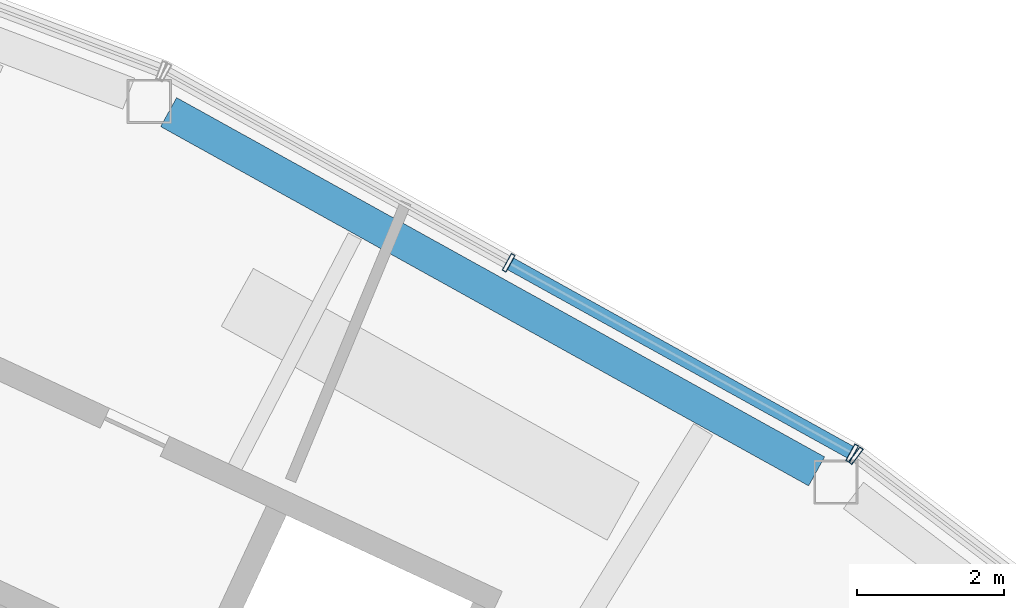
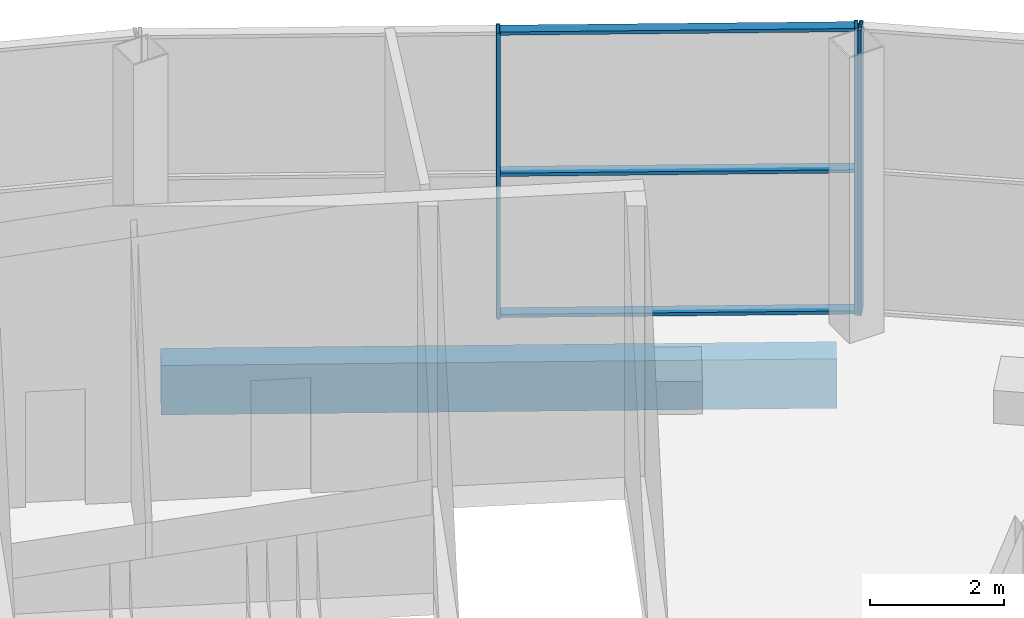
# One storey, part 33 of 44: 6 members, 1 beam, 2 elements without a shape of their own.
"""IFC4 building model written with IfcOpenShell, lengths in metres."""

from ifc_helpers import new_model, si_unit, direction, frame, origin, origin_2d, place, context, subcontext, project, spatial, hollow_rectangle, extrude, material, layer, layer_set, material_profile, profile_set, type_object, element, aggregate, save


model = new_model("IFC4")

# Units and contexts
model_context = context("Model", 3, precision=1e-05, world=origin(), true_north=direction((0.0, 1.0)))
body_context = subcontext(model_context, "Body", "Model", "MODEL_VIEW")
ifc_project = project(units=[si_unit("LENGTHUNIT", "METRE"), si_unit("AREAUNIT", "SQUARE_METRE"), si_unit("VOLUMEUNIT", "CUBIC_METRE"), si_unit("PLANEANGLEUNIT", "RADIAN"), si_unit("MASSUNIT", "GRAM", prefix="KILO")], contexts=[model_context])

# Site, building, storey
site_placement = place(None, origin())
site = spatial("IfcSite", under=ifc_project, at=site_placement, CompositionType="ELEMENT")
building_placement = place(site_placement, origin())
building = spatial("IfcBuilding", under=site, at=building_placement, Name="Tuul Gate Civic Tower", CompositionType="ELEMENT")
storey_placement = place(building_placement, frame((0.0, 0.0, 354.60009765625)))
storey = spatial("IfcBuildingStorey", under=building, at=storey_placement, Name="Observation level 2", CompositionType="ELEMENT", Elevation=354.60009765625)

# Curtain wall, member
ifc_material_1 = material(Name="Stainless steel", Category="steel")
ifc_layer = layer(ifc_material_1, 0.199951171875)
ifc_layer_set = layer_set([ifc_layer], Name="Stainless steel")
curtain_wall_type = type_object("IfcCurtainWallType", Name="Curtain wall CW4", PredefinedType="NOTDEFINED", material=ifc_layer_set)
curtain_wall_1_placement = place(storey_placement, origin())
curtain_wall_1 = element("IfcCurtainWall", 1, at=curtain_wall_1_placement, inside=storey, type_object=curtain_wall_type, Name="Curtain wall CW4", PredefinedType="NOTDEFINED")
ifc_material_2 = material(Name="Stainless steel", Category="steel")
ifc_material_profile_1 = material_profile(ifc_material_2, hollow_rectangle(XDim=0.260009765625, YDim=0.06005859375, WallThickness=0.006103515625, at=origin_2d()), Name="CW4 mullion")
ifc_profile_set_1 = profile_set([ifc_material_profile_1], Name="Stainless steel")
member_type_1 = type_object("IfcMemberType", Name="CW4 mullion", PredefinedType="MULLION", material=ifc_profile_set_1)
member_1_placement = place(storey_placement, frame((42.864990234375, 2.164794921875, 0.0), z_axis=(0.0, 0.0, 1.0), x_axis=(-0.605807600786, -0.795611180684, 0.0)))
member_1 = element("IfcMember", 2, at=member_1_placement, type_object=member_type_1, Name="Mullion", PredefinedType="MULLION", context=body_context, shape_type="SweptSolid", body=[
    extrude(hollow_rectangle(XDim=0.260009765625, YDim=0.06005859375, WallThickness=0.006103515625, at=origin_2d()), origin(), (0.0, 0.0, 1.0), 5.199951171875),
])
aggregate(curtain_wall_1, [member_1])

# Curtain wall, members
curtain_wall_2_placement = place(storey_placement, origin())
curtain_wall_2 = element("IfcCurtainWall", 3, at=curtain_wall_2_placement, inside=storey, type_object=curtain_wall_type, Name="Curtain wall CW4", PredefinedType="NOTDEFINED")
member_2_placement = place(storey_placement, frame((42.814697265625, 2.197509765625, 0.0), z_axis=(0.0, 0.0, 1.0), x_axis=(-0.48478912347, -0.874631068374, 0.0)))
member_2 = element("IfcMember", 4, at=member_2_placement, type_object=member_type_1, Name="Mullion", PredefinedType="MULLION", context=body_context, shape_type="SweptSolid", body=[
    extrude(hollow_rectangle(XDim=0.260009765625, YDim=0.06005859375, WallThickness=0.006103515625, at=origin_2d()), origin(), (0.0, 0.0, 1.0), 5.199951171875),
])
member_3_placement = place(storey_placement, frame((38.14306640625, 4.787109375, 0.0), z_axis=(0.0, 0.0, 1.0), x_axis=(-0.48478912347, -0.874631068374, 0.0)))
member_3 = element("IfcMember", 5, at=member_3_placement, type_object=member_type_1, Name="Mullion", PredefinedType="MULLION", context=body_context, shape_type="SweptSolid", body=[
    extrude(hollow_rectangle(XDim=0.260009765625, YDim=0.06005859375, WallThickness=0.006103515625, at=origin_2d()), origin(), (0.0, 0.0, 1.0), 5.199951171875),
])
ifc_material_3 = material(Name="Stainless steel", Category="steel")
ifc_material_profile_2 = material_profile(ifc_material_3, hollow_rectangle(XDim=0.179931640625, YDim=0.06005859375, WallThickness=0.006103515625, at=origin_2d()), Name="CW4 transom")
ifc_profile_set_2 = profile_set([ifc_material_profile_2], Name="Stainless steel")
member_type_2 = type_object("IfcMemberType", Name="CW4 transom", PredefinedType="USERDEFINED", material=ifc_profile_set_2)
member_4_placement = place(storey_placement, frame((42.78857421875, 2.212158203125, 0.02978515625), z_axis=(-0.874640905911, 0.484771374678, 0.0), x_axis=(-0.484771374678, -0.874640905911, 0.0)))
member_4 = element("IfcMember", 6, at=member_4_placement, type_object=member_type_2, Name="Transom", ObjectType="TRANSOM", PredefinedType="USERDEFINED", context=body_context, shape_type="SweptSolid", body=[
    extrude(hollow_rectangle(XDim=0.179931640625, YDim=0.06005859375, WallThickness=0.006103515625, at=origin_2d()), origin(), (0.0, 0.0, 1.0), 5.281494140625),
])
member_5_placement = place(storey_placement, frame((42.78857421875, 2.212158203125, 2.599853515625), z_axis=(-0.874640905911, 0.484771374678, 0.0), x_axis=(-0.484771374678, -0.874640905911, 0.0)))
member_5 = element("IfcMember", 7, at=member_5_placement, type_object=member_type_2, Name="Transom", ObjectType="TRANSOM", PredefinedType="USERDEFINED", context=body_context, shape_type="SweptSolid", body=[
    extrude(hollow_rectangle(XDim=0.179931640625, YDim=0.06005859375, WallThickness=0.006103515625, at=origin_2d()), origin(), (0.0, 0.0, 1.0), 5.281494140625),
])
member_6_placement = place(storey_placement, frame((42.78857421875, 2.212158203125, 5.169921875), z_axis=(-0.874640905911, 0.484771374678, 0.0), x_axis=(-0.484771374678, -0.874640905911, 0.0)))
member_6 = element("IfcMember", 8, at=member_6_placement, type_object=member_type_2, Name="Transom", ObjectType="TRANSOM", PredefinedType="USERDEFINED", context=body_context, shape_type="SweptSolid", body=[
    extrude(hollow_rectangle(XDim=0.179931640625, YDim=0.06005859375, WallThickness=0.006103515625, at=origin_2d()), origin(), (0.0, 0.0, 1.0), 5.281494140625),
])
aggregate(curtain_wall_2, [member_2, member_3, member_4, member_5, member_6])

# Beam
ifc_material_4 = material(Name="Steel S355", Category="steel")
ifc_material_profile_3 = material_profile(ifc_material_4, hollow_rectangle(XDim=0.449951171875, YDim=0.89990234375, WallThickness=0.02490234375, at=origin_2d()), Name="BOX900x450x25")
ifc_profile_set_3 = profile_set([ifc_material_profile_3], Name="Steel S355")
beam_type = type_object("IfcBeamType", Name="STR-SPANDREL BEAM-BOX900x450x25", PredefinedType="BEAM", material=ifc_profile_set_3)
beam_placement = place(storey_placement, frame((42.33154296875, 1.950439453125, -0.85009765625), z_axis=(-0.874588911386, 0.484865173095, 0.0), x_axis=(-0.484865173095, -0.874588911386, 0.0)))
element("IfcBeam", 9, at=beam_placement, inside=storey, type_object=beam_type, Name="Spandrel beam", PredefinedType="BEAM", context=body_context, shape_type="SweptSolid", body=[
    extrude(hollow_rectangle(XDim=0.449951171875, YDim=0.89990234375, WallThickness=0.02490234375, at=origin_2d()), origin(), (0.0, 0.0, 1.0), 10.076904296875),
])

save(model, "model.ifc")
